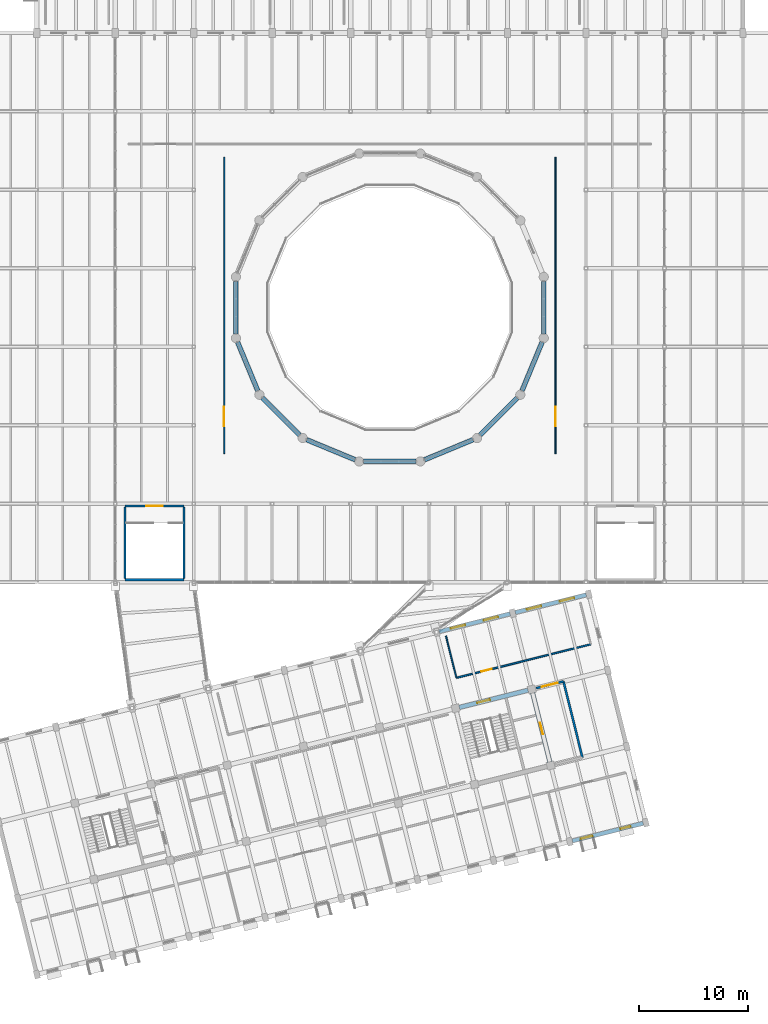
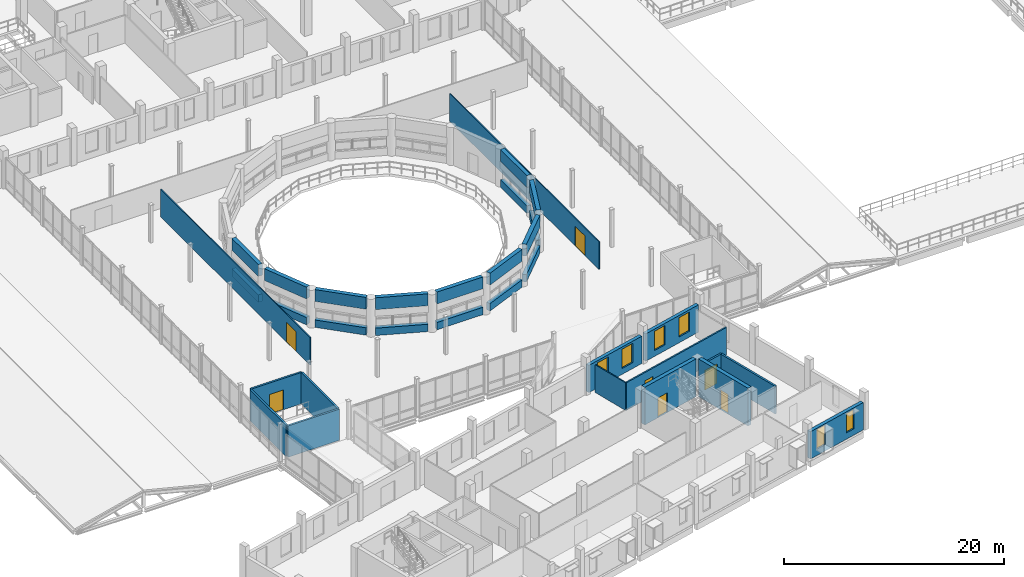
# One storey, part 48 of 63: 33 walls, 7 doors, 6 windows, 13 openings.
"""IFC4 building model written with IfcOpenShell, lengths in metres."""

from ifc_helpers import new_model, si_unit, direction, frame, frame_2d, origin, place, context, subcontext, project, spatial, rectangle, extrude, material, layer, layer_set, type_object, element, fill, save


model = new_model("IFC4")

# Units and contexts
model_context = context("Model", 3, precision=1e-05, world=origin(), true_north=direction((0.0, 1.0)))
body_context = subcontext(model_context, "Body", "Model", "MODEL_VIEW")
ifc_project = project(units=[si_unit("LENGTHUNIT", "METRE"), si_unit("AREAUNIT", "SQUARE_METRE"), si_unit("VOLUMEUNIT", "CUBIC_METRE"), si_unit("PLANEANGLEUNIT", "RADIAN"), si_unit("MASSUNIT", "GRAM", prefix="KILO")], contexts=[model_context])

# Site, building, storey
site_placement = place(None, origin())
site = spatial("IfcSite", under=ifc_project, at=site_placement, CompositionType="ELEMENT")
building_placement = place(site_placement, origin())
building = spatial("IfcBuilding", under=site, at=building_placement, Name="Qiaolan Assembly House", CompositionType="ELEMENT")
storey_placement = place(building_placement, frame((0.0, 0.0, 14.39990234375)))
storey = spatial("IfcBuildingStorey", under=building, at=storey_placement, Name="L03", CompositionType="ELEMENT", Elevation=14.39990234375)

# Wall, opening, door
ifc_material_1 = material(Name="Concrete C45/55", Category="concrete")
ifc_layer_1 = layer(ifc_material_1, 0.39990234375)
ifc_layer_set_1 = layer_set([ifc_layer_1], Name="Concrete C45/55")
wall_type_1 = type_object("IfcWallType", Name="WAL-CORE-400", PredefinedType="SHEAR", material=ifc_layer_set_1)
wall_1_placement = place(storey_placement, frame((83.076416015625, 19.5185546875, 0.0), z_axis=(0.0, 0.0, 1.0), x_axis=(-0.241925774902, 0.970294759049, 0.0)))
wall_1 = element("IfcWall", 1, at=wall_1_placement, inside=storey, type_object=wall_type_1, Name="CW-400 shear core wall CORE-D E L03", PredefinedType="SHEAR", context=body_context, shape_type="SweptSolid", body=[
    extrude(rectangle(XDim=6.5, YDim=0.39990234375, at=frame_2d((3.25, 0.0))), origin(), (0.0, 0.0, 1.0), 4.2001953125),
])
opening_1_placement = place(wall_1_placement, frame((2.60009765625, 0.0, 0.0)))
opening_1 = element("IfcOpeningElement", 2, at=opening_1_placement, cuts=wall_1, Name="Opening LD-061", PredefinedType="OPENING", context=body_context, shape_type="SweptSolid", body=[
    extrude(rectangle(XDim=1.10009765625, YDim=2.199951171875, at=frame_2d((0.550048828125, 1.10009765625))), frame((0.0, 0.2099609375, 0.0), z_axis=(0.0, -1.0, 0.0), x_axis=(1.0, 0.0, 0.0)), (0.0, 0.0, 1.0), 0.419921875),
])
ifc_material_2 = material(Name="Anodised bronze aluminium", Category="aluminium")
door_type_1 = type_object("IfcDoorType", Name="DOR-LIFT-LD1100", OperationType="SLIDING_TO_LEFT", PredefinedType="DOOR", material=ifc_material_2)
door_1_placement = place(opening_1_placement, origin())
door_1 = element("IfcDoor", 3, at=door_1_placement, inside=storey, type_object=door_type_1, Name="Lift landing door LD-061 (LF-08 L03)", OperationType="SLIDING_TO_LEFT", OverallHeight=2.199951171875, OverallWidth=1.10009765625, PredefinedType="DOOR", context=body_context, shape_type="SweptSolid", body=[
    extrude(rectangle(XDim=1.10009765625, YDim=2.199951171875, at=frame_2d((0.550048828125, 1.10009765625))), frame((0.0, 0.02490234375, 0.0), z_axis=(0.0, -1.0, 0.0), x_axis=(1.0, 0.0, 0.0)), (0.0, 0.0, 1.0), 0.050048828125),
])
fill(opening_1, door_1)

wall_2_placement = place(storey_placement, frame((81.07958984375, 26.08056640625, 0.0), z_axis=(0.0, 0.0, 1.0), x_axis=(-0.970294759049, -0.241925774902, 0.0)))
wall_2 = element("IfcWall", 4, at=wall_2_placement, inside=storey, type_object=wall_type_1, Name="CW-400 shear core wall CORE-D N L03", PredefinedType="SHEAR", context=body_context, shape_type="SweptSolid", body=[
    extrude(rectangle(XDim=6.5, YDim=0.39990234375, at=frame_2d((3.25, 0.0))), origin(), (0.0, 0.0, 1.0), 4.2001953125),
])
opening_2_placement = place(wall_2_placement, frame((3.60009765625, 0.0, 0.0)))
opening_2 = element("IfcOpeningElement", 5, at=opening_2_placement, cuts=wall_2, Name="Opening FD-101", PredefinedType="OPENING", context=body_context, shape_type="SweptSolid", body=[
    extrude(rectangle(XDim=1.199951171875, YDim=2.199951171875, at=frame_2d((0.60009765625, 1.10009765625))), frame((0.0, 0.2099609375, 0.0), z_axis=(0.0, -1.0, 0.0), x_axis=(1.0, 0.0, 0.0)), (0.0, 0.0, 1.0), 0.419921875),
])
ifc_material_3 = material(Name="Steel Q355B", Category="steel")
door_type_2 = type_object("IfcDoorType", Name="DOR-FIRE-FD90-1200", OperationType="NOTDEFINED", PredefinedType="DOOR", material=ifc_material_3)
door_2_placement = place(opening_2_placement, frame((1.199951171875, 0.0, 0.0), z_axis=(0.0, 0.0, 1.0), x_axis=(-1.0, 0.0, 0.0)))
door_2 = element("IfcDoor", 6, at=door_2_placement, inside=storey, type_object=door_type_2, Name="Stairwell fire door FD-101 (CORE-D L03)", OperationType="SINGLE_SWING_RIGHT", OverallHeight=2.199951171875, OverallWidth=1.199951171875, PredefinedType="DOOR", context=body_context, shape_type="SweptSolid", body=[
    extrude(rectangle(XDim=1.199951171875, YDim=2.199951171875, at=frame_2d((0.60009765625, 1.10009765625))), frame((0.0, 0.02490234375, 0.0), z_axis=(0.0, -1.0, 0.0), x_axis=(1.0, 0.0, 0.0)), (0.0, 0.0, 1.0), 0.050048828125),
])
fill(opening_2, door_2)

# Walls
ifc_material_4 = material(Name="Concrete C50/60", Category="concrete")
ifc_layer_2 = layer(ifc_material_4, 0.419921875)
ifc_layer_set_2 = layer_set([ifc_layer_2], Name="Concrete C50/60")
wall_type_2 = type_object("IfcWallType", Name="WAL-DRUM-420", PredefinedType="SHEAR", material=ifc_layer_set_2)
wall_3_placement = place(storey_placement, frame((54.276611328125, 58.790771484375, 0.0), z_axis=(0.0, 0.0, 1.0), x_axis=(0.0, 1.0, 0.0)))
element("IfcWall", 7, at=wall_3_placement, inside=storey, type_object=wall_type_2, Name="DW-420 council chamber drum sill wall 8 L03", PredefinedType="SHEAR", context=body_context, shape_type="SweptSolid", body=[
    extrude(rectangle(XDim=4.818603515625, YDim=0.419921875, at=frame_2d((2.4091796875, 0.0))), origin(), (0.0, 0.0, 1.0), 0.820068359375),
])
wall_4_placement = place(storey_placement, frame((54.276611328125, 58.790771484375, 2.880126953125), z_axis=(0.0, 0.0, 1.0), x_axis=(0.0, 1.0, 0.0)))
element("IfcWall", 8, at=wall_4_placement, inside=storey, type_object=wall_type_2, Name="DW-420 council chamber drum lintel wall 8 L03", PredefinedType="SHEAR", context=body_context, shape_type="SweptSolid", body=[
    extrude(rectangle(XDim=4.818603515625, YDim=0.419921875, at=frame_2d((2.4091796875, 0.0))), origin(), (0.0, 0.0, 1.0), 1.320068359375),
])
wall_5_placement = place(storey_placement, frame((56.273681640625, 53.5693359375, 0.0), z_axis=(0.0, 0.0, 1.0), x_axis=(-0.382675461762, 0.923882834003, 0.0)))
element("IfcWall", 9, at=wall_5_placement, inside=storey, type_object=wall_type_2, Name="DW-420 council chamber drum sill wall 9 L03", PredefinedType="SHEAR", context=body_context, shape_type="SweptSolid", body=[
    extrude(rectangle(XDim=4.818603515625, YDim=0.419921875, at=frame_2d((2.4091796875, 0.0))), origin(), (0.0, 0.0, 1.0), 0.820068359375),
])
wall_6_placement = place(storey_placement, frame((56.273681640625, 53.5693359375, 2.880126953125), z_axis=(0.0, 0.0, 1.0), x_axis=(-0.382675461762, 0.923882834003, 0.0)))
element("IfcWall", 10, at=wall_6_placement, inside=storey, type_object=wall_type_2, Name="DW-420 council chamber drum lintel wall 9 L03", PredefinedType="SHEAR", context=body_context, shape_type="SweptSolid", body=[
    extrude(rectangle(XDim=4.818603515625, YDim=0.419921875, at=frame_2d((2.4091796875, 0.0))), origin(), (0.0, 0.0, 1.0), 1.320068359375),
])
wall_7_placement = place(storey_placement, frame((60.116943359375, 49.509765625, 0.0), z_axis=(0.0, 0.0, 1.0), x_axis=(-0.707106781187, 0.707106781187, 0.0)))
element("IfcWall", 11, at=wall_7_placement, inside=storey, type_object=wall_type_2, Name="DW-420 council chamber drum sill wall 10 L03", PredefinedType="SHEAR", context=body_context, shape_type="SweptSolid", body=[
    extrude(rectangle(XDim=4.818603515625, YDim=0.419921875, at=frame_2d((2.4091796875, 0.0))), origin(), (0.0, 0.0, 1.0), 0.820068359375),
])
wall_8_placement = place(storey_placement, frame((60.116943359375, 49.509765625, 2.880126953125), z_axis=(0.0, 0.0, 1.0), x_axis=(-0.707106781187, 0.707106781187, 0.0)))
element("IfcWall", 12, at=wall_8_placement, inside=storey, type_object=wall_type_2, Name="DW-420 council chamber drum lintel wall 10 L03", PredefinedType="SHEAR", context=body_context, shape_type="SweptSolid", body=[
    extrude(rectangle(XDim=4.818603515625, YDim=0.419921875, at=frame_2d((2.4091796875, 0.0))), origin(), (0.0, 0.0, 1.0), 1.320068359375),
])
wall_9_placement = place(storey_placement, frame((65.22119140625, 47.229736328125, 0.0), z_axis=(0.0, 0.0, 1.0), x_axis=(-0.923882834003, 0.382675461762, 0.0)))
element("IfcWall", 13, at=wall_9_placement, inside=storey, type_object=wall_type_2, Name="DW-420 council chamber drum sill wall 11 L03", PredefinedType="SHEAR", context=body_context, shape_type="SweptSolid", body=[
    extrude(rectangle(XDim=4.818603515625, YDim=0.419921875, at=frame_2d((2.4091796875, 0.0))), origin(), (0.0, 0.0, 1.0), 0.820068359375),
])
wall_10_placement = place(storey_placement, frame((65.22119140625, 47.229736328125, 2.880126953125), z_axis=(0.0, 0.0, 1.0), x_axis=(-0.923882834003, 0.382675461762, 0.0)))
element("IfcWall", 14, at=wall_10_placement, inside=storey, type_object=wall_type_2, Name="DW-420 council chamber drum lintel wall 11 L03", PredefinedType="SHEAR", context=body_context, shape_type="SweptSolid", body=[
    extrude(rectangle(XDim=4.818603515625, YDim=0.419921875, at=frame_2d((2.4091796875, 0.0))), origin(), (0.0, 0.0, 1.0), 1.320068359375),
])
wall_11_placement = place(storey_placement, frame((70.809326171875, 47.07666015625, 0.0), z_axis=(0.0, 0.0, 1.0), x_axis=(-1.0, 0.0, 0.0)))
element("IfcWall", 15, at=wall_11_placement, inside=storey, type_object=wall_type_2, Name="DW-420 council chamber drum sill wall 12 L03", PredefinedType="SHEAR", context=body_context, shape_type="SweptSolid", body=[
    extrude(rectangle(XDim=4.818603515625, YDim=0.419921875, at=frame_2d((2.4091796875, 0.0))), origin(), (0.0, 0.0, 1.0), 0.820068359375),
])
wall_12_placement = place(storey_placement, frame((70.809326171875, 47.07666015625, 2.880126953125), z_axis=(0.0, 0.0, 1.0), x_axis=(-1.0, 0.0, 0.0)))
element("IfcWall", 16, at=wall_12_placement, inside=storey, type_object=wall_type_2, Name="DW-420 council chamber drum lintel wall 12 L03", PredefinedType="SHEAR", context=body_context, shape_type="SweptSolid", body=[
    extrude(rectangle(XDim=4.818603515625, YDim=0.419921875, at=frame_2d((2.4091796875, 0.0))), origin(), (0.0, 0.0, 1.0), 1.320068359375),
])
wall_13_placement = place(storey_placement, frame((76.03076171875, 49.07373046875, 0.0), z_axis=(0.0, 0.0, 1.0), x_axis=(-0.923882834003, -0.382675461762, 0.0)))
element("IfcWall", 17, at=wall_13_placement, inside=storey, type_object=wall_type_2, Name="DW-420 council chamber drum sill wall 13 L03", PredefinedType="SHEAR", context=body_context, shape_type="SweptSolid", body=[
    extrude(rectangle(XDim=4.818603515625, YDim=0.419921875, at=frame_2d((2.4091796875, 0.0))), origin(), (0.0, 0.0, 1.0), 0.820068359375),
])
wall_14_placement = place(storey_placement, frame((76.03076171875, 49.07373046875, 2.880126953125), z_axis=(0.0, 0.0, 1.0), x_axis=(-0.923882834003, -0.382675461762, 0.0)))
element("IfcWall", 18, at=wall_14_placement, inside=storey, type_object=wall_type_2, Name="DW-420 council chamber drum lintel wall 13 L03", PredefinedType="SHEAR", context=body_context, shape_type="SweptSolid", body=[
    extrude(rectangle(XDim=4.818603515625, YDim=0.419921875, at=frame_2d((2.4091796875, 0.0))), origin(), (0.0, 0.0, 1.0), 1.320068359375),
])
wall_15_placement = place(storey_placement, frame((80.09033203125, 52.9169921875, 0.0), z_axis=(0.0, 0.0, 1.0), x_axis=(-0.707106781187, -0.707106781187, 0.0)))
element("IfcWall", 19, at=wall_15_placement, inside=storey, type_object=wall_type_2, Name="DW-420 council chamber drum sill wall 14 L03", PredefinedType="SHEAR", context=body_context, shape_type="SweptSolid", body=[
    extrude(rectangle(XDim=4.818603515625, YDim=0.419921875, at=frame_2d((2.4091796875, 0.0))), origin(), (0.0, 0.0, 1.0), 0.820068359375),
])
wall_16_placement = place(storey_placement, frame((80.09033203125, 52.9169921875, 2.880126953125), z_axis=(0.0, 0.0, 1.0), x_axis=(-0.707106781187, -0.707106781187, 0.0)))
element("IfcWall", 20, at=wall_16_placement, inside=storey, type_object=wall_type_2, Name="DW-420 council chamber drum lintel wall 14 L03", PredefinedType="SHEAR", context=body_context, shape_type="SweptSolid", body=[
    extrude(rectangle(XDim=4.818603515625, YDim=0.419921875, at=frame_2d((2.4091796875, 0.0))), origin(), (0.0, 0.0, 1.0), 1.320068359375),
])
wall_17_placement = place(storey_placement, frame((82.3701171875, 58.021240234375, 0.0), z_axis=(0.0, 0.0, 1.0), x_axis=(-0.382675461762, -0.923882834003, 0.0)))
element("IfcWall", 21, at=wall_17_placement, inside=storey, type_object=wall_type_2, Name="DW-420 council chamber drum sill wall 15 L03", PredefinedType="SHEAR", context=body_context, shape_type="SweptSolid", body=[
    extrude(rectangle(XDim=4.818603515625, YDim=0.419921875, at=frame_2d((2.4091796875, 0.0))), origin(), (0.0, 0.0, 1.0), 0.820068359375),
])
wall_18_placement = place(storey_placement, frame((82.3701171875, 58.021240234375, 2.880126953125), z_axis=(0.0, 0.0, 1.0), x_axis=(-0.382675461762, -0.923882834003, 0.0)))
element("IfcWall", 22, at=wall_18_placement, inside=storey, type_object=wall_type_2, Name="DW-420 council chamber drum lintel wall 15 L03", PredefinedType="SHEAR", context=body_context, shape_type="SweptSolid", body=[
    extrude(rectangle(XDim=4.818603515625, YDim=0.419921875, at=frame_2d((2.4091796875, 0.0))), origin(), (0.0, 0.0, 1.0), 1.320068359375),
])
wall_19_placement = place(storey_placement, frame((82.523193359375, 63.609375, 0.0), z_axis=(0.0, 0.0, 1.0), x_axis=(0.0, -1.0, 0.0)))
element("IfcWall", 23, at=wall_19_placement, inside=storey, type_object=wall_type_2, Name="DW-420 council chamber drum sill wall 16 L03", PredefinedType="SHEAR", context=body_context, shape_type="SweptSolid", body=[
    extrude(rectangle(XDim=4.818603515625, YDim=0.419921875, at=frame_2d((2.4091796875, 0.0))), origin(), (0.0, 0.0, 1.0), 0.820068359375),
])
wall_20_placement = place(storey_placement, frame((82.523193359375, 63.609375, 2.880126953125), z_axis=(0.0, 0.0, 1.0), x_axis=(0.0, -1.0, 0.0)))
element("IfcWall", 24, at=wall_20_placement, inside=storey, type_object=wall_type_2, Name="DW-420 council chamber drum lintel wall 16 L03", PredefinedType="SHEAR", context=body_context, shape_type="SweptSolid", body=[
    extrude(rectangle(XDim=4.818603515625, YDim=0.419921875, at=frame_2d((2.4091796875, 0.0))), origin(), (0.0, 0.0, 1.0), 1.320068359375),
])

# Wall, openings, windows
ifc_material_5 = material(Name="Honed pale limestone", Category="masonry")
ifc_layer_3 = layer(ifc_material_5, 0.360107421875)
ifc_layer_set_3 = layer_set([ifc_layer_3], Name="Honed pale limestone")
wall_type_3 = type_object("IfcWallType", Name="WAL-EXT-LIMESTONE-360", PredefinedType="SOLIDWALL", material=ifc_layer_set_3)
wall_21_placement = place(storey_placement, frame((85.1435546875, 12.2529296875, 0.0), z_axis=(0.0, 0.0, 1.0), x_axis=(0.970296540998, 0.241918627903, 0.0)))
wall_21 = element("IfcWall", 25, at=wall_21_placement, inside=storey, type_object=wall_type_3, Name="EW-360 SE South boulevard wall L03 bay 8", PredefinedType="SOLIDWALL", context=body_context, shape_type="SweptSolid", body=[
    extrude(rectangle(XDim=6.7041015625, YDim=0.360107421875, at=frame_2d((3.35205078125, 0.0))), origin(), (0.0, 0.0, 1.0), 3.0400390625),
])
opening_3_placement = place(wall_21_placement, frame((0.802001953125, 0.0, 0.699951171875)))
opening_3 = element("IfcOpeningElement", 26, at=opening_3_placement, cuts=wall_21, Name="Opening WN-324", PredefinedType="OPENING", context=body_context, shape_type="SweptSolid", body=[
    extrude(rectangle(XDim=1.10009765625, YDim=2.18994140625, at=frame_2d((0.550048828125, 1.094970703125))), frame((0.0, 0.18994140625, 0.0), z_axis=(0.0, -1.0, 0.0), x_axis=(1.0, 0.0, 0.0)), (0.0, 0.0, 1.0), 0.380126953125),
])
opening_4_placement = place(wall_21_placement, frame((4.552001953125, 0.0, 0.699951171875)))
opening_4 = element("IfcOpeningElement", 27, at=opening_4_placement, cuts=wall_21, Name="Opening WN-325", PredefinedType="OPENING", context=body_context, shape_type="SweptSolid", body=[
    extrude(rectangle(XDim=0.949951171875, YDim=2.14990234375, at=frame_2d((0.47509765625, 1.074951171875))), frame((0.0, 0.18994140625, 0.0), z_axis=(0.0, -1.0, 0.0), x_axis=(1.0, 0.0, 0.0)), (0.0, 0.0, 1.0), 0.380126953125),
])
ifc_material_6 = material(Name="Low-E double insulating glass", Category="glass")
window_type_1 = type_object("IfcWindowType", Name="WIN-BOX-1100x2350", PartitioningType="SINGLE_PANEL", PredefinedType="WINDOW", material=ifc_material_6)
window_1_placement = place(opening_3_placement, origin())
window_1 = element("IfcWindow", 28, at=window_1_placement, inside=storey, type_object=window_type_1, Name="WN-T11 splayed window WN-324", OverallHeight=2.18994140625, OverallWidth=1.10009765625, PartitioningType="SINGLE_PANEL", PredefinedType="WINDOW", context=body_context, shape_type="SweptSolid", body=[
    extrude(rectangle(XDim=1.10009765625, YDim=2.18994140625, at=frame_2d((0.550048828125, 1.094970703125))), frame((0.0, 0.030029296875, 0.0), z_axis=(0.0, -1.0, 0.0), x_axis=(1.0, 0.0, 0.0)), (0.0, 0.0, 1.0), 0.06005859375),
])
fill(opening_3, window_1)
window_type_2 = type_object("IfcWindowType", Name="WIN-PUNCH-950x2150", PartitioningType="SINGLE_PANEL", PredefinedType="WINDOW", material=ifc_material_6)
window_2_placement = place(opening_4_placement, origin())
window_2 = element("IfcWindow", 29, at=window_2_placement, inside=storey, type_object=window_type_2, Name="WN-T14 splayed window WN-325", OverallHeight=2.14990234375, OverallWidth=0.949951171875, PartitioningType="SINGLE_PANEL", PredefinedType="WINDOW", context=body_context, shape_type="SweptSolid", body=[
    extrude(rectangle(XDim=0.949951171875, YDim=2.14990234375, at=frame_2d((0.47509765625, 1.074951171875))), frame((0.0, 0.030029296875, 0.0), z_axis=(0.0, -1.0, 0.0), x_axis=(1.0, 0.0, 0.0)), (0.0, 0.0, 1.0), 0.06005859375),
])
fill(opening_4, window_2)

wall_22_placement = place(storey_placement, frame((79.436767578125, 33.09130859375, 0.0), z_axis=(0.0, 0.0, 1.0), x_axis=(-0.970296540998, -0.241918627903, 0.0)))
wall_22 = element("IfcWall", 30, at=wall_22_placement, inside=storey, type_object=wall_type_3, Name="EW-360 SE North court wall L03 bay 7", PredefinedType="SOLIDWALL", context=body_context, shape_type="SweptSolid", body=[
    extrude(rectangle(XDim=6.7041015625, YDim=0.360107421875, at=frame_2d((3.35205078125, 0.0))), origin(), (0.0, 0.0, 1.0), 3.0400390625),
])
opening_5_placement = place(wall_22_placement, frame((1.152099609375, 0.0, 0.64990234375)))
opening_5 = element("IfcOpeningElement", 31, at=opening_5_placement, cuts=wall_22, Name="Opening WN-334", PredefinedType="OPENING", context=body_context, shape_type="SweptSolid", body=[
    extrude(rectangle(XDim=1.35009765625, YDim=2.14990234375, at=frame_2d((0.675048828125, 1.074951171875))), frame((0.0, 0.18994140625, 0.0), z_axis=(0.0, -1.0, 0.0), x_axis=(1.0, 0.0, 0.0)), (0.0, 0.0, 1.0), 0.380126953125),
])
opening_6_placement = place(wall_22_placement, frame((4.251953125, 0.0, 0.64990234375)))
opening_6 = element("IfcOpeningElement", 32, at=opening_6_placement, cuts=wall_22, Name="Opening WN-335", PredefinedType="OPENING", context=body_context, shape_type="SweptSolid", body=[
    extrude(rectangle(XDim=1.35009765625, YDim=2.14990234375, at=frame_2d((0.675048828125, 1.074951171875))), frame((0.0, 0.18994140625, 0.0), z_axis=(0.0, -1.0, 0.0), x_axis=(1.0, 0.0, 0.0)), (0.0, 0.0, 1.0), 0.380126953125),
])
window_type_3 = type_object("IfcWindowType", Name="WIN-COURT-1350x2150", PartitioningType="DOUBLE_PANEL_VERTICAL", PredefinedType="WINDOW", material=ifc_material_6)
window_3_placement = place(opening_5_placement, origin())
window_3 = element("IfcWindow", 33, at=window_3_placement, inside=storey, type_object=window_type_3, Name="SE court window WN-334", OverallHeight=2.14990234375, OverallWidth=1.35009765625, PartitioningType="DOUBLE_PANEL_VERTICAL", PredefinedType="WINDOW", context=body_context, shape_type="SweptSolid", body=[
    extrude(rectangle(XDim=1.35009765625, YDim=2.14990234375, at=frame_2d((0.675048828125, 1.074951171875))), frame((0.0, 0.030029296875, 0.0), z_axis=(0.0, -1.0, 0.0), x_axis=(1.0, 0.0, 0.0)), (0.0, 0.0, 1.0), 0.06005859375),
])
fill(opening_5, window_3)
window_4_placement = place(opening_6_placement, origin())
window_4 = element("IfcWindow", 34, at=window_4_placement, inside=storey, type_object=window_type_3, Name="SE court window WN-335", OverallHeight=2.14990234375, OverallWidth=1.35009765625, PartitioningType="DOUBLE_PANEL_VERTICAL", PredefinedType="WINDOW", context=body_context, shape_type="SweptSolid", body=[
    extrude(rectangle(XDim=1.35009765625, YDim=2.14990234375, at=frame_2d((0.675048828125, 1.074951171875))), frame((0.0, 0.030029296875, 0.0), z_axis=(0.0, -1.0, 0.0), x_axis=(1.0, 0.0, 0.0)), (0.0, 0.0, 1.0), 0.06005859375),
])
fill(opening_6, window_4)

wall_23_placement = place(storey_placement, frame((86.4228515625, 34.8330078125, 0.0), z_axis=(0.0, 0.0, 1.0), x_axis=(-0.970296540998, -0.241918627903, 0.0)))
wall_23 = element("IfcWall", 35, at=wall_23_placement, inside=storey, type_object=wall_type_3, Name="EW-360 SE North court wall L03 bay 8", PredefinedType="SOLIDWALL", context=body_context, shape_type="SweptSolid", body=[
    extrude(rectangle(XDim=6.7041015625, YDim=0.360107421875, at=frame_2d((3.35205078125, 0.0))), origin(), (0.0, 0.0, 1.0), 3.0400390625),
])
opening_7_placement = place(wall_23_placement, frame((1.152099609375, 0.0, 0.64990234375)))
opening_7 = element("IfcOpeningElement", 36, at=opening_7_placement, cuts=wall_23, Name="Opening WN-336", PredefinedType="OPENING", context=body_context, shape_type="SweptSolid", body=[
    extrude(rectangle(XDim=1.35009765625, YDim=2.14990234375, at=frame_2d((0.675048828125, 1.074951171875))), frame((0.0, 0.18994140625, 0.0), z_axis=(0.0, -1.0, 0.0), x_axis=(1.0, 0.0, 0.0)), (0.0, 0.0, 1.0), 0.380126953125),
])
opening_8_placement = place(wall_23_placement, frame((4.251953125, 0.0, 0.64990234375)))
opening_8 = element("IfcOpeningElement", 37, at=opening_8_placement, cuts=wall_23, Name="Opening WN-337", PredefinedType="OPENING", context=body_context, shape_type="SweptSolid", body=[
    extrude(rectangle(XDim=1.35009765625, YDim=2.14990234375, at=frame_2d((0.675048828125, 1.074951171875))), frame((0.0, 0.18994140625, 0.0), z_axis=(0.0, -1.0, 0.0), x_axis=(1.0, 0.0, 0.0)), (0.0, 0.0, 1.0), 0.380126953125),
])
window_5_placement = place(opening_7_placement, origin())
window_5 = element("IfcWindow", 38, at=window_5_placement, inside=storey, type_object=window_type_3, Name="SE court window WN-336", OverallHeight=2.14990234375, OverallWidth=1.35009765625, PartitioningType="DOUBLE_PANEL_VERTICAL", PredefinedType="WINDOW", context=body_context, shape_type="SweptSolid", body=[
    extrude(rectangle(XDim=1.35009765625, YDim=2.14990234375, at=frame_2d((0.675048828125, 1.074951171875))), frame((0.0, 0.030029296875, 0.0), z_axis=(0.0, -1.0, 0.0), x_axis=(1.0, 0.0, 0.0)), (0.0, 0.0, 1.0), 0.06005859375),
])
fill(opening_7, window_5)
window_6_placement = place(opening_8_placement, origin())
window_6 = element("IfcWindow", 39, at=window_6_placement, inside=storey, type_object=window_type_3, Name="SE court window WN-337", OverallHeight=2.14990234375, OverallWidth=1.35009765625, PartitioningType="DOUBLE_PANEL_VERTICAL", PredefinedType="WINDOW", context=body_context, shape_type="SweptSolid", body=[
    extrude(rectangle(XDim=1.35009765625, YDim=2.14990234375, at=frame_2d((0.675048828125, 1.074951171875))), frame((0.0, 0.030029296875, 0.0), z_axis=(0.0, -1.0, 0.0), x_axis=(1.0, 0.0, 0.0)), (0.0, 0.0, 1.0), 0.06005859375),
])
fill(opening_8, window_6)

# Wall, opening, door
ifc_material_7 = material(Name="Concrete C35/45", Category="concrete")
ifc_layer_4 = layer(ifc_material_7, 0.199951171875)
ifc_layer_set_4 = layer_set([ifc_layer_4], Name="Concrete C35/45")
wall_type_4 = type_object("IfcWallType", Name="WAL-LOBBY-200", PredefinedType="PARTITIONING", material=ifc_layer_set_4)
wall_24_placement = place(storey_placement, frame((44.10009765625, 42.97998046875, 0.0), z_axis=(0.0, 0.0, 1.0), x_axis=(1.0, 0.0, 0.0)))
wall_24 = element("IfcWall", 40, at=wall_24_placement, inside=storey, type_object=wall_type_4, Name="LW-200 foyer stairwell north wall F1 L03", PredefinedType="PARTITIONING", context=body_context, shape_type="SweptSolid", body=[
    extrude(rectangle(XDim=5.39990234375, YDim=0.199951171875, at=frame_2d((2.699951171875, 0.0))), origin(), (0.0, 0.0, 1.0), 3.47998046875),
])
opening_9_placement = place(wall_24_placement, frame((1.949951171875, 0.0, 0.0)))
opening_9 = element("IfcOpeningElement", 41, at=opening_9_placement, cuts=wall_24, Name="Opening FD-913", PredefinedType="OPENING", context=body_context, shape_type="SweptSolid", body=[
    extrude(rectangle(XDim=1.5, YDim=2.199951171875, at=frame_2d((0.75, 1.10009765625))), frame((0.0, 0.10986328125, 0.0), z_axis=(0.0, -1.0, 0.0), x_axis=(1.0, 0.0, 0.0)), (0.0, 0.0, 1.0), 0.219970703125),
])
ifc_material_8 = material(Name="Acoustic oak panelling")
door_type_3 = type_object("IfcDoorType", Name="DOR-LOBBY-FD60-1500", OperationType="DOUBLE_DOOR_SINGLE_SWING", PredefinedType="DOOR", material=ifc_material_8)
door_3_placement = place(opening_9_placement, origin())
door_3 = element("IfcDoor", 42, at=door_3_placement, inside=storey, type_object=door_type_3, Name="Foyer stairwell fire door FD-913", OperationType="DOUBLE_DOOR_SINGLE_SWING", OverallHeight=2.199951171875, OverallWidth=1.5, PredefinedType="DOOR", context=body_context, shape_type="SweptSolid", body=[
    extrude(rectangle(XDim=1.5, YDim=2.199951171875, at=frame_2d((0.75, 1.10009765625))), frame((0.0, 0.02490234375, 0.0), z_axis=(0.0, -1.0, 0.0), x_axis=(1.0, 0.0, 0.0)), (0.0, 0.0, 1.0), 0.050048828125),
])
fill(opening_9, door_3)

# Walls
wall_25_placement = place(storey_placement, frame((49.5, 36.219970703125, 0.0), z_axis=(0.0, 0.0, 1.0), x_axis=(-1.0, 0.0, 0.0)))
element("IfcWall", 43, at=wall_25_placement, inside=storey, type_object=wall_type_4, Name="LW-200 foyer stairwell south wall F1 L03", PredefinedType="PARTITIONING", context=body_context, shape_type="SweptSolid", body=[
    extrude(rectangle(XDim=5.39990234375, YDim=0.199951171875, at=frame_2d((2.699951171875, 0.0))), origin(), (0.0, 0.0, 1.0), 3.47998046875),
])
for number, where, z_axis, x_axis, name in (
    (44, (44.10009765625, 42.8798828125, 0.0), (0.0, 0.0, 1.0), (0.0, -1.0, 0.0), "LW-200 foyer stairwell west wall F1 L03"),
    (45, (49.5, 36.320068359375, 0.0), (0.0, 0.0, 1.0), (0.0, 1.0, 0.0), "LW-200 foyer stairwell east wall F1 L03"),
):
    element("IfcWall", number, at=place(storey_placement, frame(where, z_axis=z_axis, x_axis=x_axis)), inside=storey, type_object=wall_type_4, Name=name, PredefinedType="PARTITIONING", context=body_context, shape_type="SweptSolid", body=[
        extrude(rectangle(XDim=6.559814453125, YDim=0.199951171875, at=frame_2d((3.27978515625, 0.0))), origin(), (0.0, 0.0, 1.0), 3.47998046875),
    ])
wall_26_placement = place(storey_placement, frame((86.072021484375, 19.90478515625, 0.0), z_axis=(0.0, 0.0, 1.0), x_axis=(-0.241937193493, 0.970291911955, 0.0)))
element("IfcWall", 46, at=wall_26_placement, inside=storey, type_object=wall_type_4, Name="Firefighting lift lobby east wall CORE-D L03", PredefinedType="PARTITIONING", context=body_context, shape_type="SweptSolid", body=[
    extrude(rectangle(XDim=7.199951171875, YDim=0.199951171875, at=frame_2d((3.60009765625, 0.0))), origin(), (0.0, 0.0, 1.0), 3.080078125),
])

# Wall, opening, door
wall_27_placement = place(storey_placement, frame((84.330078125, 26.890869140625, 0.0), z_axis=(0.0, 0.0, 1.0), x_axis=(-0.970309259708, -0.2418676095, 0.0)))
wall_27 = element("IfcWall", 47, at=wall_27_placement, inside=storey, type_object=wall_type_4, Name="Firefighting lift lobby north wall CORE-D L03", PredefinedType="PARTITIONING", context=body_context, shape_type="SweptSolid", body=[
    extrude(rectangle(XDim=2.580078125, YDim=0.199951171875, at=frame_2d((1.2900390625, 0.0))), origin(), (0.0, 0.0, 1.0), 3.080078125),
])
opening_10_placement = place(wall_27_placement, frame((0.550048828125, 0.0, 0.0)))
opening_10 = element("IfcOpeningElement", 48, at=opening_10_placement, cuts=wall_27, Name="Opening FD-102", PredefinedType="OPENING", context=body_context, shape_type="SweptSolid", body=[
    extrude(rectangle(XDim=1.5, YDim=2.199951171875, at=frame_2d((0.75, 1.10009765625))), frame((0.0, 0.10986328125, 0.0), z_axis=(0.0, -1.0, 0.0), x_axis=(1.0, 0.0, 0.0)), (0.0, 0.0, 1.0), 0.219970703125),
])
door_4_placement = place(opening_10_placement, frame((1.5, 0.0, 0.0), z_axis=(0.0, 0.0, 1.0), x_axis=(-1.0, 0.0, 0.0)))
door_4 = element("IfcDoor", 49, at=door_4_placement, inside=storey, type_object=door_type_3, Name="Lobby corridor fire door FD-102", OperationType="DOUBLE_DOOR_SINGLE_SWING", OverallHeight=2.199951171875, OverallWidth=1.5, PredefinedType="DOOR", context=body_context, shape_type="SweptSolid", body=[
    extrude(rectangle(XDim=1.5, YDim=2.199951171875, at=frame_2d((0.75, 1.10009765625))), frame((0.0, 0.02490234375, 0.0), z_axis=(0.0, -1.0, 0.0), x_axis=(1.0, 0.0, 0.0)), (0.0, 0.0, 1.0), 0.050048828125),
])
fill(opening_10, door_4)

# Wall
ifc_material_9 = material(Name="Gypsum plasterboard partition")
ifc_layer_5 = layer(ifc_material_9, 0.1201171875)
ifc_layer_set_5 = layer_set([ifc_layer_5], Name="Gypsum plasterboard partition")
wall_type_5 = type_object("IfcWallType", Name="WAL-PART-120", PredefinedType="PARTITIONING", material=ifc_layer_set_5)
wall_28_placement = place(storey_placement, frame((74.507568359375, 27.224609375, 0.0), z_axis=(0.0, 0.0, 1.0), x_axis=(-0.241924747697, 0.970295015164, 0.0)))
element("IfcWall", 50, at=wall_28_placement, inside=storey, type_object=wall_type_5, Name="Boulevard Wing Project Office L03 west wall", PredefinedType="PARTITIONING", context=body_context, shape_type="SweptSolid", body=[
    extrude(rectangle(XDim=3.949951171875, YDim=0.1201171875, at=frame_2d((1.97509765625, 0.0))), origin(), (0.0, 0.0, 1.0), 3.080078125),
])

# Wall, opening, door
ifc_layer_6 = layer(ifc_material_9, 0.14990234375)
ifc_layer_set_6 = layer_set([ifc_layer_6], Name="Gypsum plasterboard partition")
wall_type_6 = type_object("IfcWallType", Name="WAL-PART-150", PredefinedType="PARTITIONING", material=ifc_layer_set_6)
wall_29_placement = place(storey_placement, frame((74.507568359375, 27.224609375, 0.0), z_axis=(0.0, 0.0, 1.0), x_axis=(0.970298350757, 0.241911369139, 0.0)))
wall_29 = element("IfcWall", 51, at=wall_29_placement, inside=storey, type_object=wall_type_6, Name="Boulevard Wing Project Office L03 south wall", PredefinedType="PARTITIONING", context=body_context, shape_type="SweptSolid", body=[
    extrude(rectangle(XDim=12.699951171875, YDim=0.14990234375, at=frame_2d((6.35009765625, 0.0))), origin(), (0.0, 0.0, 1.0), 3.080078125),
])
opening_11_placement = place(wall_29_placement, frame((2.35009765625, 0.0, 0.0)))
opening_11 = element("IfcOpeningElement", 52, at=opening_11_placement, cuts=wall_29, Name="Opening SD-261", PredefinedType="OPENING", context=body_context, shape_type="SweptSolid", body=[
    extrude(rectangle(XDim=1.0, YDim=2.14990234375, at=frame_2d((0.5, 1.074951171875))), frame((0.0, 0.0849609375, 0.0), z_axis=(0.0, -1.0, 0.0), x_axis=(1.0, 0.0, 0.0)), (0.0, 0.0, 1.0), 0.169921875),
])
door_type_4 = type_object("IfcDoorType", Name="DOR-OFF-SGL-1000", OperationType="NOTDEFINED", PredefinedType="DOOR", material=ifc_material_8)
door_5_placement = place(opening_11_placement, origin())
door_5 = element("IfcDoor", 53, at=door_5_placement, inside=storey, type_object=door_type_4, Name="Boulevard Wing Project Office L03 door SD-261", OperationType="SINGLE_SWING_LEFT", OverallHeight=2.14990234375, OverallWidth=1.0, PredefinedType="DOOR", context=body_context, shape_type="SweptSolid", body=[
    extrude(rectangle(XDim=1.0, YDim=2.14990234375, at=frame_2d((0.5, 1.074951171875))), frame((0.0, 0.02490234375, 0.0), z_axis=(0.0, -1.0, 0.0), x_axis=(1.0, 0.0, 0.0)), (0.0, 0.0, 1.0), 0.050048828125),
])
fill(opening_11, door_5)

ifc_layer_7 = layer(ifc_material_6, 0.10498046875)
ifc_layer_set_7 = layer_set([ifc_layer_7], Name="Low-E double insulating glass")
wall_type_7 = type_object("IfcWallType", Name="WAL-PART-GLAZED-120", PredefinedType="PARTITIONING", material=ifc_layer_set_7)
wall_30_placement = place(storey_placement, frame((53.199951171875, 47.800048828125, 0.0), z_axis=(0.0, 0.0, 1.0), x_axis=(0.0, 1.0, 0.0)))
wall_30 = element("IfcWall", 54, at=wall_30_placement, inside=storey, type_object=wall_type_7, Name="West Drum Overlook Policy Seminar Room glazed partition", PredefinedType="PARTITIONING", context=body_context, shape_type="SweptSolid", body=[
    extrude(rectangle(XDim=27.199951171875, YDim=0.10498046875, at=frame_2d((13.60009765625, 0.0))), origin(), (0.0, 0.0, 1.0), 3.080078125),
])
opening_12_placement = place(wall_30_placement, frame((2.5, 0.0, 0.0)))
opening_12 = element("IfcOpeningElement", 55, at=opening_12_placement, cuts=wall_30, Name="Opening GD-173", PredefinedType="OPENING", context=body_context, shape_type="SweptSolid", body=[
    extrude(rectangle(XDim=1.800048828125, YDim=2.199951171875, at=frame_2d((0.89990234375, 1.10009765625))), frame((0.0, 0.0625, 0.0), z_axis=(0.0, -1.0, 0.0), x_axis=(1.0, 0.0, 0.0)), (0.0, 0.0, 1.0), 0.125),
])
door_type_5 = type_object("IfcDoorType", Name="DOR-CORR-DBL-1800", OperationType="DOUBLE_DOOR_SINGLE_SWING", PredefinedType="DOOR", material=ifc_material_2)
door_6_placement = place(opening_12_placement, origin())
door_6 = element("IfcDoor", 56, at=door_6_placement, inside=storey, type_object=door_type_5, Name="West Drum Overlook Policy Seminar Room door GD-173", OperationType="DOUBLE_DOOR_SINGLE_SWING", OverallHeight=2.199951171875, OverallWidth=1.800048828125, PredefinedType="DOOR", context=body_context, shape_type="SweptSolid", body=[
    extrude(rectangle(XDim=1.800048828125, YDim=2.199951171875, at=frame_2d((0.89990234375, 1.10009765625))), frame((0.0, 0.02490234375, 0.0), z_axis=(0.0, -1.0, 0.0), x_axis=(1.0, 0.0, 0.0)), (0.0, 0.0, 1.0), 0.050048828125),
])
fill(opening_12, door_6)

wall_31_placement = place(storey_placement, frame((83.60009765625, 47.800048828125, 0.0), z_axis=(0.0, 0.0, 1.0), x_axis=(0.0, 1.0, 0.0)))
wall_31 = element("IfcWall", 57, at=wall_31_placement, inside=storey, type_object=wall_type_7, Name="East Drum Overlook Press & Reception Gallery glazed partition", PredefinedType="PARTITIONING", context=body_context, shape_type="SweptSolid", body=[
    extrude(rectangle(XDim=27.199951171875, YDim=0.10498046875, at=frame_2d((13.60009765625, 0.0))), origin(), (0.0, 0.0, 1.0), 3.080078125),
])
opening_13_placement = place(wall_31_placement, frame((2.5, 0.0, 0.0)))
opening_13 = element("IfcOpeningElement", 58, at=opening_13_placement, cuts=wall_31, Name="Opening GD-174", PredefinedType="OPENING", context=body_context, shape_type="SweptSolid", body=[
    extrude(rectangle(XDim=1.800048828125, YDim=2.199951171875, at=frame_2d((0.89990234375, 1.10009765625))), frame((0.0, 0.0625, 0.0), z_axis=(0.0, -1.0, 0.0), x_axis=(1.0, 0.0, 0.0)), (0.0, 0.0, 1.0), 0.125),
])
door_7_placement = place(opening_13_placement, origin())
door_7 = element("IfcDoor", 59, at=door_7_placement, inside=storey, type_object=door_type_5, Name="East Drum Overlook Press & Reception Gallery door GD-174", OperationType="DOUBLE_DOOR_SINGLE_SWING", OverallHeight=2.199951171875, OverallWidth=1.800048828125, PredefinedType="DOOR", context=body_context, shape_type="SweptSolid", body=[
    extrude(rectangle(XDim=1.800048828125, YDim=2.199951171875, at=frame_2d((0.89990234375, 1.10009765625))), frame((0.0, 0.02490234375, 0.0), z_axis=(0.0, -1.0, 0.0), x_axis=(1.0, 0.0, 0.0)), (0.0, 0.0, 1.0), 0.050048828125),
])
fill(opening_13, door_7)

save(model, "model.ifc")
